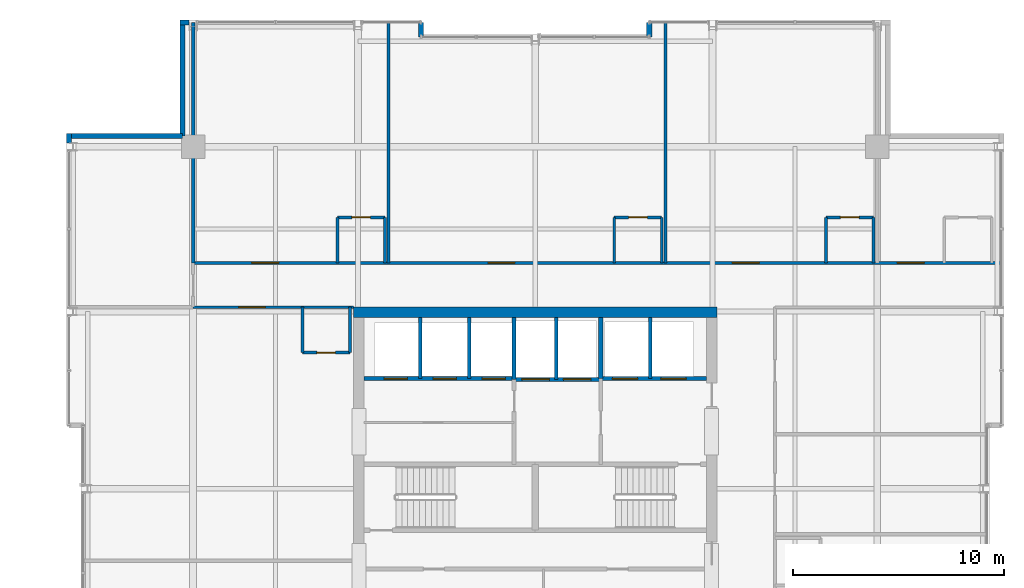
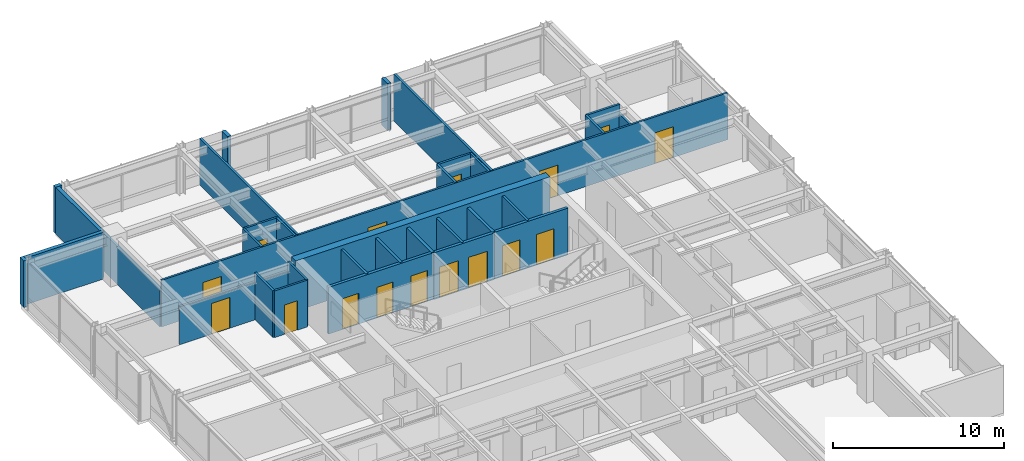
# One storey, part 28 of 32: 33 walls, 16 doors, 16 openings.
"""IFC4 building model written with IfcOpenShell, lengths in metres."""

import ifcopenshell
import ifcopenshell.guid

model = None  # the IFC model being written
_history = None  # IfcOwnerHistory: only IFC2X3 demands one
_inside = {}  # id of a spatial element -> (the spatial element, [elements in it])
_under = {}  # id of a project, library or spatial element -> (it, [spatial elements below it])
_declared = {}  # id of a project -> (the project, [libraries it declares])
_typed = {}  # id of a type object -> (the type object, [elements of that type])
_made_of = {}  # id of a material, layer set ... -> (it, [elements and type objects made of it])


def new_model(schema):
    """Start an empty IFC model of exactly this schema.

    Asked for "IFC4X3", IfcOpenShell would pick the latest addendum, in which some entities
    have other attributes; the version numbers below select the first issue.
    IFC2X3 requires an IfcOwnerHistory on every rooted entity: one is made here for all.
    """
    global model, _history
    if schema == "IFC4X3":
        model = ifcopenshell.file(schema_version=(4, 3, 0, 0))
    else:
        model = ifcopenshell.file(schema=schema)
    _inside.clear()
    _under.clear()
    _declared.clear()
    _typed.clear()
    _made_of.clear()
    _history = None
    if model.schema == "IFC2X3":
        org = make("IfcOrganization", Name="unknown")
        user = make(
            "IfcPersonAndOrganization",
            ThePerson=make("IfcPerson", FamilyName="unknown"),
            TheOrganization=org,
        )
        app = make(
            "IfcApplication",
            ApplicationDeveloper=org,
            Version="unknown",
            ApplicationFullName="unknown",
            ApplicationIdentifier="unknown",
        )
        _history = make(
            "IfcOwnerHistory",
            OwningUser=user,
            OwningApplication=app,
            ChangeAction="ADDED",
            CreationDate=0,
        )
    return model


def make(cls, **values):
    """One entity of the class cls with the attributes given. An attribute that is None is left unset."""
    return model.create_entity(
        cls, **{name: value for name, value in values.items() if value is not None}
    )


def rooted(cls, **values):
    """An entity with a GlobalId (a new one), such as an element, a storey or a relation."""
    return make(cls, GlobalId=ifcopenshell.guid.new(), OwnerHistory=_history, **values)


def si_unit(unit_type, name, prefix=None):
    """IfcSIUnit, for example si_unit("LENGTHUNIT", "METRE", prefix="MILLI")."""
    return make("IfcSIUnit", UnitType=unit_type, Prefix=prefix, Name=name)


def assignment(units):
    """IfcUnitAssignment: the units of a project."""
    return None if units is None else make("IfcUnitAssignment", Units=units)


def point(xyz):
    """IfcCartesianPoint."""
    return None if xyz is None else make("IfcCartesianPoint", Coordinates=xyz)


def direction(xyz):
    """IfcDirection."""
    return None if xyz is None else make("IfcDirection", DirectionRatios=xyz)


def frame(location, z_axis=None, x_axis=None):
    """IfcAxis2Placement3D, a coordinate frame: its origin and axes. An axis left out is left unset."""
    return make(
        "IfcAxis2Placement3D",
        Location=point(location),
        Axis=direction(z_axis),
        RefDirection=direction(x_axis),
    )


def frame_2d(location, x_axis=None):
    """IfcAxis2Placement2D, a coordinate frame in the plane: its origin and x axis."""
    return make(
        "IfcAxis2Placement2D", Location=point(location), RefDirection=direction(x_axis)
    )


def origin():
    """The frame at (0, 0, 0) with its axes left unset."""
    return frame((0.0, 0.0, 0.0))


def place(relative_to, where):
    """IfcLocalPlacement: puts the frame where relative to a parent placement (None: the world)."""
    return make(
        "IfcLocalPlacement", PlacementRelTo=relative_to, RelativePlacement=where
    )


def context(
    kind, dimensions, precision=None, world=None, true_north=None, identifier=None
):
    """IfcGeometricRepresentationContext, for example the 3D "Model" context."""
    return make(
        "IfcGeometricRepresentationContext",
        ContextIdentifier=identifier,
        ContextType=kind,
        CoordinateSpaceDimension=dimensions,
        Precision=precision,
        WorldCoordinateSystem=world,
        TrueNorth=true_north,
    )


def subcontext(parent, identifier, kind, view, scale=None):
    """IfcGeometricRepresentationSubContext, for example "Body" below "Model"."""
    return make(
        "IfcGeometricRepresentationSubContext",
        ContextIdentifier=identifier,
        ContextType=kind,
        ParentContext=parent,
        TargetScale=scale,
        TargetView=view,
    )


def project(units=None, contexts=None):
    """IfcProject with its units and contexts."""
    return rooted(
        "IfcProject",
        Name="project",
        RepresentationContexts=contexts,
        UnitsInContext=assignment(units),
    )


def spatial(cls, under=None, at=None, **own):
    """A site, building, storey or space (cls), placed at a placement, below another one or the project."""
    s = rooted(cls, ObjectPlacement=at, **own)
    if under is not None:
        _under.setdefault(under.id(), (under, []))[1].append(s)
    return s


def profile(cls, at=None, kind="AREA", **sizes):
    """A parametric profile (cls). Its sizes go by their IFC names, for example OverallWidth=200.0."""
    return make(cls, ProfileType=kind, Position=at, **sizes)


def rectangle(**sizes):
    """IfcRectangleProfileDef."""
    return profile("IfcRectangleProfileDef", **sizes)


def extrude(swept, where, along, depth):
    """IfcExtrudedAreaSolid: the profile swept, set in the frame where, extruded along a direction by depth."""
    return make(
        "IfcExtrudedAreaSolid",
        SweptArea=swept,
        Position=where,
        ExtrudedDirection=direction(along),
        Depth=depth,
    )


def shape(context_of_items, identifier, shape_type, items):
    """IfcShapeRepresentation: the items that make up one representation, for example the "Body"."""
    return make(
        "IfcShapeRepresentation",
        ContextOfItems=context_of_items,
        RepresentationIdentifier=identifier,
        RepresentationType=shape_type,
        Items=items,
    )


def material(Name=None, Category=None):
    """IfcMaterial."""
    return make("IfcMaterial", Name=Name, Category=Category)


def layer(
    of_material, thickness, ventilated=None, Name=None, Category=None, Priority=None
):
    """IfcMaterialLayer: one layer of a wall or slab, of a material (None: an air gap)."""
    return make(
        "IfcMaterialLayer",
        Material=of_material,
        LayerThickness=thickness,
        IsVentilated=ventilated,
        Name=Name,
        Category=Category,
        Priority=Priority,
    )


def layer_set(layers, Name=None):
    """IfcMaterialLayerSet."""
    return make("IfcMaterialLayerSet", MaterialLayers=layers, LayerSetName=Name)


def made_of(thing, what):
    """Note that an element or type object is made of a material, layer set ...; save() writes the relation."""
    if what is not None:
        _made_of.setdefault(what.id(), (what, []))[1].append(thing)
    return thing


def type_object(cls, material=None, **own):
    """A type object (cls), such as IfcWallType, which elements share."""
    return made_of(rooted(cls, **own), material)


def element(
    cls,
    number,
    at=None,
    inside=None,
    cuts=None,
    type_object=None,
    material=None,
    context=None,
    identifier="Body",
    shape_type=None,
    held_by="IfcProductDefinitionShape",
    body=None,
    shapes=None,
    **own,
):
    """One element of the class cls, such as IfcWall. Its Tag is "e" and its number.

    at: its placement. inside: the storey or other place that contains it. cuts: it is an
    opening in that element (IfcRelVoidsElement). A single representation is given by context,
    identifier, shape_type and body (its items); several are given by shapes. held_by: the class
    of the entity that holds the representations. save() writes the other relations.
    """
    e = rooted(cls, Tag="e%d" % number, ObjectPlacement=at, **own)
    if body is not None:
        shapes = [shape(context, identifier, shape_type, body)]
    if shapes is not None:
        e.Representation = make(held_by, Representations=shapes)
    if inside is not None:
        _inside.setdefault(inside.id(), (inside, []))[1].append(e)
    if cuts is not None:
        rooted(
            "IfcRelVoidsElement", RelatingBuildingElement=cuts, RelatedOpeningElement=e
        )
    if type_object is not None:
        _typed.setdefault(type_object.id(), (type_object, []))[1].append(e)
    return made_of(e, material)


def fill(opening, filler):
    """IfcRelFillsElement: the door or window that sits in an opening."""
    return rooted(
        "IfcRelFillsElement",
        RelatingOpeningElement=opening,
        RelatedBuildingElement=filler,
    )


def aggregate(whole, parts):
    """IfcRelAggregates: a whole, such as a stair, and the parts it consists of."""
    return rooted("IfcRelAggregates", RelatingObject=whole, RelatedObjects=parts)


def save(model, path):
    """Write the relations noted so far, then the file.

    IfcRelAggregates (storeys below a building ...), IfcRelContainedInSpatialStructure (elements
    in a storey), IfcRelDefinesByType, IfcRelAssociatesMaterial and IfcRelDeclares: one each for
    every whole, place, type object, material and project.
    """
    for whole, parts in _under.values():
        aggregate(whole, parts)
    for where, things in _inside.values():
        rooted(
            "IfcRelContainedInSpatialStructure",
            RelatedElements=things,
            RelatingStructure=where,
        )
    for kind, things in _typed.values():
        rooted("IfcRelDefinesByType", RelatedObjects=things, RelatingType=kind)
    for what, things in _made_of.values():
        rooted("IfcRelAssociatesMaterial", RelatedObjects=things, RelatingMaterial=what)
    for by, libraries in _declared.values():
        rooted("IfcRelDeclares", RelatingContext=by, RelatedDefinitions=libraries)
    model.write(path)


model = new_model("IFC4")

# Units and contexts
model_context = context("Model", 3, precision=1e-05, world=origin(), true_north=direction((0.0, 1.0)))
body_context = subcontext(model_context, "Body", "Model", "MODEL_VIEW")
ifc_project = project(units=[si_unit("LENGTHUNIT", "METRE"), si_unit("AREAUNIT", "SQUARE_METRE"), si_unit("VOLUMEUNIT", "CUBIC_METRE"), si_unit("PLANEANGLEUNIT", "RADIAN"), si_unit("MASSUNIT", "GRAM", prefix="KILO")], contexts=[model_context])

# Site, building, storey
site_placement = place(None, origin())
site = spatial("IfcSite", under=ifc_project, at=site_placement, CompositionType="ELEMENT")
building_placement = place(site_placement, origin())
building = spatial("IfcBuilding", under=site, at=building_placement, Name="Drelvath Grand Hotel", CompositionType="ELEMENT")
storey_placement = place(building_placement, frame((0.0, 0.0, 233.89990234375)))
storey = spatial("IfcBuildingStorey", under=building, at=storey_placement, Name="L61", CompositionType="ELEMENT", Elevation=233.89990234375)

# Wall, openings, doors
ifc_material_1 = material(Name="Concrete C40/50", Category="concrete")
ifc_layer_1 = layer(ifc_material_1, 0.199951171875)
ifc_layer_set_1 = layer_set([ifc_layer_1], Name="Concrete C40/50")
wall_type_1 = type_object("IfcWallType", Name="Core Hoistway Fire Wall 200", PredefinedType="SOLIDWALL", material=ifc_layer_set_1)
wall_1_placement = place(storey_placement, frame((3.10009765625, 32.219970703125, 0.0), z_axis=(0.0, 0.0, 1.0), x_axis=(1.0, 0.0, 0.0)))
wall_1 = element("IfcWall", 1, at=wall_1_placement, inside=storey, type_object=wall_type_1, Name="L61 FSAE Hoistway Front Wall", PredefinedType="SOLIDWALL", context=body_context, shape_type="SweptSolid", body=[
    extrude(rectangle(XDim=5.0, YDim=0.199951171875, at=frame_2d((2.5, 0.0))), origin(), (0.0, 0.0, 1.0), 3.340087890625),
])
opening_1_placement = place(wall_1_placement, frame((0.550048828125, 0.0, 0.0)))
opening_1 = element("IfcOpeningElement", 2, at=opening_1_placement, cuts=wall_1, Name="Opening LD-FSAE-1", PredefinedType="OPENING", context=body_context, shape_type="SweptSolid", body=[
    extrude(rectangle(XDim=1.199951171875, YDim=2.199951171875, at=frame_2d((0.60009765625, 1.10009765625))), frame((0.0, 0.10986328125, 0.0), z_axis=(0.0, -1.0, 0.0), x_axis=(1.0, 0.0, 0.0)), (0.0, 0.0, 1.0), 0.219970703125),
])
opening_2_placement = place(wall_1_placement, frame((2.85009765625, 0.0, 0.0)))
opening_2 = element("IfcOpeningElement", 3, at=opening_2_placement, cuts=wall_1, Name="Opening LD-FSAE-2", PredefinedType="OPENING", context=body_context, shape_type="SweptSolid", body=[
    extrude(rectangle(XDim=1.199951171875, YDim=2.199951171875, at=frame_2d((0.60009765625, 1.10009765625))), frame((0.0, 0.10986328125, 0.0), z_axis=(0.0, -1.0, 0.0), x_axis=(1.0, 0.0, 0.0)), (0.0, 0.0, 1.0), 0.219970703125),
])
ifc_material_2 = material(Name="Stainless Steel S355", Category="steel")
door_type_1 = type_object("IfcDoorType", Name="FSAE Lift Sliding Landing Door 1200x2200", OperationType="NOTDEFINED", PredefinedType="DOOR", material=ifc_material_2)
door_1_placement = place(opening_1_placement, origin())
door_1 = element("IfcDoor", 4, at=door_1_placement, inside=storey, type_object=door_type_1, Name="L61 Lift FSAE-1 Landing Door", OperationType="SLIDING_TO_LEFT", OverallHeight=2.199951171875, OverallWidth=1.199951171875, PredefinedType="DOOR", context=body_context, shape_type="SweptSolid", body=[
    extrude(rectangle(XDim=1.199951171875, YDim=2.199951171875, at=frame_2d((0.60009765625, 1.10009765625))), frame((0.0, 0.02490234375, 0.0), z_axis=(0.0, -1.0, 0.0), x_axis=(1.0, 0.0, 0.0)), (0.0, 0.0, 1.0), 0.050048828125),
])
fill(opening_1, door_1)
door_2_placement = place(opening_2_placement, origin())
door_2 = element("IfcDoor", 5, at=door_2_placement, inside=storey, type_object=door_type_1, Name="L61 Lift FSAE-2 Landing Door", OperationType="SLIDING_TO_LEFT", OverallHeight=2.199951171875, OverallWidth=1.199951171875, PredefinedType="DOOR", context=body_context, shape_type="SweptSolid", body=[
    extrude(rectangle(XDim=1.199951171875, YDim=2.199951171875, at=frame_2d((0.60009765625, 1.10009765625))), frame((0.0, 0.02490234375, 0.0), z_axis=(0.0, -1.0, 0.0), x_axis=(1.0, 0.0, 0.0)), (0.0, 0.0, 1.0), 0.050048828125),
])
fill(opening_2, door_2)

# Wall
wall_2_placement = place(storey_placement, frame((3.10009765625, 32.219970703125, 0.0), z_axis=(0.0, 0.0, 1.0), x_axis=(0.0, 1.0, 0.0)))
element("IfcWall", 6, at=wall_2_placement, inside=storey, type_object=wall_type_1, Name="L61 FSAE Hoistway West Wall", PredefinedType="SOLIDWALL", context=body_context, shape_type="SweptSolid", body=[
    extrude(rectangle(XDim=2.880126953125, YDim=0.199951171875, at=frame_2d((1.43994140625, 0.0))), origin(), (0.0, 0.0, 1.0), 3.340087890625),
])

# Wall, openings, doors
wall_3_placement = place(storey_placement, frame((-1.0, 32.179931640625, 0.0), z_axis=(0.0, 0.0, 1.0), x_axis=(1.0, 0.0, 0.0)))
wall_3 = element("IfcWall", 7, at=wall_3_placement, inside=storey, type_object=wall_type_1, Name="L61 Service Lift Hoistway Wall", PredefinedType="SOLIDWALL", context=body_context, shape_type="SweptSolid", body=[
    extrude(rectangle(XDim=4.10009765625, YDim=0.199951171875, at=frame_2d((2.050048828125, 0.0))), origin(), (0.0, 0.0, 1.0), 3.340087890625),
])
opening_3_placement = place(wall_3_placement, frame((0.3701171875, 0.0, 0.0)))
opening_3 = element("IfcOpeningElement", 8, at=opening_3_placement, cuts=wall_3, Name="Opening LD-SV-2", PredefinedType="OPENING", context=body_context, shape_type="SweptSolid", body=[
    extrude(rectangle(XDim=1.300048828125, YDim=2.199951171875, at=frame_2d((0.64990234375, 1.10009765625))), frame((0.0, 0.10986328125, 0.0), z_axis=(0.0, -1.0, 0.0), x_axis=(1.0, 0.0, 0.0)), (0.0, 0.0, 1.0), 0.219970703125),
])
opening_4_placement = place(wall_3_placement, frame((2.330078125, 0.0, 0.0)))
opening_4 = element("IfcOpeningElement", 9, at=opening_4_placement, cuts=wall_3, Name="Opening LD-SV-1", PredefinedType="OPENING", context=body_context, shape_type="SweptSolid", body=[
    extrude(rectangle(XDim=1.300048828125, YDim=2.199951171875, at=frame_2d((0.64990234375, 1.10009765625))), frame((0.0, 0.10986328125, 0.0), z_axis=(0.0, -1.0, 0.0), x_axis=(1.0, 0.0, 0.0)), (0.0, 0.0, 1.0), 0.219970703125),
])
door_type_2 = type_object("IfcDoorType", Name="Service Lift Sliding Landing Door 1300x2200", OperationType="NOTDEFINED", PredefinedType="DOOR", material=ifc_material_2)
door_3_placement = place(opening_3_placement, origin())
door_3 = element("IfcDoor", 10, at=door_3_placement, inside=storey, type_object=door_type_2, Name="L61 Lift SV-2 Landing Door", OperationType="SLIDING_TO_LEFT", OverallHeight=2.199951171875, OverallWidth=1.300048828125, PredefinedType="DOOR", context=body_context, shape_type="SweptSolid", body=[
    extrude(rectangle(XDim=1.300048828125, YDim=2.199951171875, at=frame_2d((0.64990234375, 1.10009765625))), frame((0.0, 0.02490234375, 0.0), z_axis=(0.0, -1.0, 0.0), x_axis=(1.0, 0.0, 0.0)), (0.0, 0.0, 1.0), 0.050048828125),
])
fill(opening_3, door_3)
door_4_placement = place(opening_4_placement, origin())
door_4 = element("IfcDoor", 11, at=door_4_placement, inside=storey, type_object=door_type_2, Name="L61 Lift SV-1 Landing Door", OperationType="SLIDING_TO_LEFT", OverallHeight=2.199951171875, OverallWidth=1.300048828125, PredefinedType="DOOR", context=body_context, shape_type="SweptSolid", body=[
    extrude(rectangle(XDim=1.300048828125, YDim=2.199951171875, at=frame_2d((0.64990234375, 1.10009765625))), frame((0.0, 0.02490234375, 0.0), z_axis=(0.0, -1.0, 0.0), x_axis=(1.0, 0.0, 0.0)), (0.0, 0.0, 1.0), 0.050048828125),
])
fill(opening_4, door_4)

# Wall
wall_4_placement = place(storey_placement, frame((-1.0, 32.179931640625, 0.0), z_axis=(0.0, 0.0, 1.0), x_axis=(0.0, 1.0, 0.0)))
element("IfcWall", 12, at=wall_4_placement, inside=storey, type_object=wall_type_1, Name="L61 Service Lift West Wall", PredefinedType="SOLIDWALL", context=body_context, shape_type="SweptSolid", body=[
    extrude(rectangle(XDim=2.920166015625, YDim=0.199951171875, at=frame_2d((1.4599609375, 0.0))), origin(), (0.0, 0.0, 1.0), 3.340087890625),
])

# Wall, openings, doors
wall_5_placement = place(storey_placement, frame((-8.10009765625, 32.219970703125, 0.0), z_axis=(0.0, 0.0, 1.0), x_axis=(1.0, 0.0, 0.0)))
wall_5 = element("IfcWall", 13, at=wall_5_placement, inside=storey, type_object=wall_type_1, Name="L61 Bank 3 Hoistway Wall", PredefinedType="SOLIDWALL", context=body_context, shape_type="SweptSolid", body=[
    extrude(rectangle(XDim=7.10009765625, YDim=0.199951171875, at=frame_2d((3.550048828125, 0.0))), origin(), (0.0, 0.0, 1.0), 3.340087890625),
])
opening_5_placement = place(wall_5_placement, frame((0.949951171875, 0.0, 0.0)))
opening_5 = element("IfcOpeningElement", 14, at=opening_5_placement, cuts=wall_5, Name="Opening LD-PE-7", PredefinedType="OPENING", context=body_context, shape_type="SweptSolid", body=[
    extrude(rectangle(XDim=1.10009765625, YDim=2.199951171875, at=frame_2d((0.550048828125, 1.10009765625))), frame((0.0, 0.10986328125, 0.0), z_axis=(0.0, -1.0, 0.0), x_axis=(1.0, 0.0, 0.0)), (0.0, 0.0, 1.0), 0.219970703125),
])
opening_6_placement = place(wall_5_placement, frame((3.27001953125, 0.0, 0.0)))
opening_6 = element("IfcOpeningElement", 15, at=opening_6_placement, cuts=wall_5, Name="Opening LD-PE-8", PredefinedType="OPENING", context=body_context, shape_type="SweptSolid", body=[
    extrude(rectangle(XDim=1.10009765625, YDim=2.199951171875, at=frame_2d((0.550048828125, 1.10009765625))), frame((0.0, 0.10986328125, 0.0), z_axis=(0.0, -1.0, 0.0), x_axis=(1.0, 0.0, 0.0)), (0.0, 0.0, 1.0), 0.219970703125),
])
opening_7_placement = place(wall_5_placement, frame((5.590087890625, 0.0, 0.0)))
opening_7 = element("IfcOpeningElement", 16, at=opening_7_placement, cuts=wall_5, Name="Opening LD-PE-9", PredefinedType="OPENING", context=body_context, shape_type="SweptSolid", body=[
    extrude(rectangle(XDim=1.10009765625, YDim=2.199951171875, at=frame_2d((0.550048828125, 1.10009765625))), frame((0.0, 0.10986328125, 0.0), z_axis=(0.0, -1.0, 0.0), x_axis=(1.0, 0.0, 0.0)), (0.0, 0.0, 1.0), 0.219970703125),
])
door_type_3 = type_object("IfcDoorType", Name="Passenger Lift Sliding Landing Door 1100x2200", OperationType="NOTDEFINED", PredefinedType="DOOR", material=ifc_material_2)
door_5_placement = place(opening_5_placement, origin())
door_5 = element("IfcDoor", 17, at=door_5_placement, inside=storey, type_object=door_type_3, Name="L61 Lift PE-7 Landing Door", OperationType="SLIDING_TO_LEFT", OverallHeight=2.199951171875, OverallWidth=1.10009765625, PredefinedType="DOOR", context=body_context, shape_type="SweptSolid", body=[
    extrude(rectangle(XDim=1.10009765625, YDim=2.199951171875, at=frame_2d((0.550048828125, 1.10009765625))), frame((0.0, 0.02490234375, 0.0), z_axis=(0.0, -1.0, 0.0), x_axis=(1.0, 0.0, 0.0)), (0.0, 0.0, 1.0), 0.050048828125),
])
fill(opening_5, door_5)
door_6_placement = place(opening_6_placement, origin())
door_6 = element("IfcDoor", 18, at=door_6_placement, inside=storey, type_object=door_type_3, Name="L61 Lift PE-8 Landing Door", OperationType="SLIDING_TO_LEFT", OverallHeight=2.199951171875, OverallWidth=1.10009765625, PredefinedType="DOOR", context=body_context, shape_type="SweptSolid", body=[
    extrude(rectangle(XDim=1.10009765625, YDim=2.199951171875, at=frame_2d((0.550048828125, 1.10009765625))), frame((0.0, 0.02490234375, 0.0), z_axis=(0.0, -1.0, 0.0), x_axis=(1.0, 0.0, 0.0)), (0.0, 0.0, 1.0), 0.050048828125),
])
fill(opening_6, door_6)
door_7_placement = place(opening_7_placement, origin())
door_7 = element("IfcDoor", 19, at=door_7_placement, inside=storey, type_object=door_type_3, Name="L61 Lift PE-9 Landing Door", OperationType="SLIDING_TO_LEFT", OverallHeight=2.199951171875, OverallWidth=1.10009765625, PredefinedType="DOOR", context=body_context, shape_type="SweptSolid", body=[
    extrude(rectangle(XDim=1.10009765625, YDim=2.199951171875, at=frame_2d((0.550048828125, 1.10009765625))), frame((0.0, 0.02490234375, 0.0), z_axis=(0.0, -1.0, 0.0), x_axis=(1.0, 0.0, 0.0)), (0.0, 0.0, 1.0), 0.050048828125),
])
fill(opening_7, door_7)

# Walls
ifc_material_3 = material(Name="Gypsum Fireboard Partition")
ifc_layer_2 = layer(ifc_material_3, 0.1650390625)
ifc_layer_set_2 = layer_set([ifc_layer_2], Name="Gypsum Fireboard Partition")
wall_type_2 = type_object("IfcWallType", Name="Core Shaft Partition 165", PredefinedType="PARTITIONING", material=ifc_layer_set_2)
wall_6_placement = place(storey_placement, frame((5.449951171875, 32.219970703125, 0.0), z_axis=(0.0, 0.0, 1.0), x_axis=(0.0, 1.0, 0.0)))
element("IfcWall", 20, at=wall_6_placement, inside=storey, type_object=wall_type_2, Name="L61 FSAE Hoistway Divider", PredefinedType="PARTITIONING", context=body_context, shape_type="SweptSolid", body=[
    extrude(rectangle(XDim=2.880126953125, YDim=0.1650390625, at=frame_2d((1.43994140625, 0.0))), origin(), (0.0, 0.0, 1.0), 3.340087890625),
])
wall_7_placement = place(storey_placement, frame((1.0, 32.179931640625, 0.0), z_axis=(0.0, 0.0, 1.0), x_axis=(0.0, 1.0, 0.0)))
element("IfcWall", 21, at=wall_7_placement, inside=storey, type_object=wall_type_2, Name="L61 Service Lift Divider", PredefinedType="PARTITIONING", context=body_context, shape_type="SweptSolid", body=[
    extrude(rectangle(XDim=2.920166015625, YDim=0.1650390625, at=frame_2d((1.4599609375, 0.0))), origin(), (0.0, 0.0, 1.0), 3.340087890625),
])
for number, where, z_axis, x_axis, name in (
    (22, (-5.43994140625, 32.219970703125, 0.0), (0.0, 0.0, 1.0), (0.0, 1.0, 0.0), "L61 Lift PE-7/8 Divider"),
    (23, (-3.1201171875, 32.219970703125, 0.0), (0.0, 0.0, 1.0), (0.0, 1.0, 0.0), "L61 Lift PE-8/9 Divider"),
):
    element("IfcWall", number, at=place(storey_placement, frame(where, z_axis=z_axis, x_axis=x_axis)), inside=storey, type_object=wall_type_2, Name=name, PredefinedType="PARTITIONING", context=body_context, shape_type="SweptSolid", body=[
        extrude(rectangle(XDim=2.880126953125, YDim=0.1650390625, at=frame_2d((1.43994140625, 0.0))), origin(), (0.0, 0.0, 1.0), 3.340087890625),
    ])

# Wall, openings, doors
ifc_layer_3 = layer(ifc_material_3, 0.135009765625)
ifc_layer_set_3 = layer_set([ifc_layer_3], Name="Gypsum Fireboard Partition")
wall_type_3 = type_object("IfcWallType", Name="Corridor Fire Barrier Wall 135", PredefinedType="PARTITIONING", material=ifc_layer_set_3)
wall_8_placement = place(storey_placement, frame((-16.199951171875, 37.699951171875, 0.0), z_axis=(0.0, 0.0, 1.0), x_axis=(1.0, 0.0, 0.0)))
wall_8 = element("IfcWall", 24, at=wall_8_placement, inside=storey, type_object=wall_type_3, Name="L61 North Cross-Gallery Wall", PredefinedType="PARTITIONING", context=body_context, shape_type="SweptSolid", body=[
    extrude(rectangle(XDim=38.280029296875, YDim=0.135009765625, at=frame_2d((19.14013671875, 0.0))), origin(), (0.0, 0.0, 1.0), 3.340087890625),
])
opening_8_placement = place(wall_8_placement, frame((33.35498046875, 0.0, 0.0)))
opening_8 = element("IfcOpeningElement", 25, at=opening_8_placement, cuts=wall_8, Name="Opening D-T4G3-022", PredefinedType="OPENING", context=body_context, shape_type="SweptSolid", body=[
    extrude(rectangle(XDim=1.260009765625, YDim=2.199951171875, at=frame_2d((0.6298828125, 1.10009765625))), frame((0.0, 0.077392578125, 0.0), z_axis=(0.0, -1.0, 0.0), x_axis=(1.0, 0.0, 0.0)), (0.0, 0.0, 1.0), 0.155029296875),
])
opening_9_placement = place(wall_8_placement, frame((2.78369140625, 0.0, 0.0)))
opening_9 = element("IfcOpeningElement", 26, at=opening_9_placement, cuts=wall_8, Name="Opening D-T4G3-033", PredefinedType="OPENING", context=body_context, shape_type="SweptSolid", body=[
    extrude(rectangle(XDim=1.260009765625, YDim=2.199951171875, at=frame_2d((0.6298828125, 1.10009765625))), frame((0.0, 0.077392578125, 0.0), z_axis=(0.0, -1.0, 0.0), x_axis=(1.0, 0.0, 0.0)), (0.0, 0.0, 1.0), 0.155029296875),
])
opening_10_placement = place(wall_8_placement, frame((13.96923828125, 0.0, 0.0)))
opening_10 = element("IfcOpeningElement", 27, at=opening_10_placement, cuts=wall_8, Name="Opening D-T4G3-035", PredefinedType="OPENING", context=body_context, shape_type="SweptSolid", body=[
    extrude(rectangle(XDim=1.260009765625, YDim=2.199951171875, at=frame_2d((0.6298828125, 1.10009765625))), frame((0.0, 0.077392578125, 0.0), z_axis=(0.0, -1.0, 0.0), x_axis=(1.0, 0.0, 0.0)), (0.0, 0.0, 1.0), 0.155029296875),
])
opening_11_placement = place(wall_8_placement, frame((25.540771484375, 0.0, 0.0)))
opening_11 = element("IfcOpeningElement", 28, at=opening_11_placement, cuts=wall_8, Name="Opening D-T4G3-037", PredefinedType="OPENING", context=body_context, shape_type="SweptSolid", body=[
    extrude(rectangle(XDim=1.260009765625, YDim=2.199951171875, at=frame_2d((0.6298828125, 1.10009765625))), frame((0.0, 0.077392578125, 0.0), z_axis=(0.0, -1.0, 0.0), x_axis=(1.0, 0.0, 0.0)), (0.0, 0.0, 1.0), 0.155029296875),
])
ifc_material_4 = material(Name="Hardwood Walnut Timber", Category="wood")
door_type_4 = type_object("IfcDoorType", Name="Suite Entrance Fire Door 1260x2200", OperationType="NOTDEFINED", PredefinedType="DOOR", material=ifc_material_4)
door_8_placement = place(opening_8_placement, origin())
door_8 = element("IfcDoor", 29, at=door_8_placement, inside=storey, type_object=door_type_4, Name="L61 Diplomatic Suite Entry Door", OperationType="SINGLE_SWING_LEFT", OverallHeight=2.199951171875, OverallWidth=1.260009765625, PredefinedType="DOOR", context=body_context, shape_type="SweptSolid", body=[
    extrude(rectangle(XDim=1.260009765625, YDim=2.199951171875, at=frame_2d((0.6298828125, 1.10009765625))), frame((0.0, 0.02490234375, 0.0), z_axis=(0.0, -1.0, 0.0), x_axis=(1.0, 0.0, 0.0)), (0.0, 0.0, 1.0), 0.050048828125),
])
fill(opening_8, door_8)
door_9_placement = place(opening_9_placement, origin())
door_9 = element("IfcDoor", 30, at=door_9_placement, inside=storey, type_object=door_type_4, Name="L61 Diplomatic Suite Entry Door", OperationType="SINGLE_SWING_RIGHT", OverallHeight=2.199951171875, OverallWidth=1.260009765625, PredefinedType="DOOR", context=body_context, shape_type="SweptSolid", body=[
    extrude(rectangle(XDim=1.260009765625, YDim=2.199951171875, at=frame_2d((0.6298828125, 1.10009765625))), frame((0.0, 0.02490234375, 0.0), z_axis=(0.0, -1.0, 0.0), x_axis=(1.0, 0.0, 0.0)), (0.0, 0.0, 1.0), 0.050048828125),
])
fill(opening_9, door_9)
door_10_placement = place(opening_10_placement, origin())
door_10 = element("IfcDoor", 31, at=door_10_placement, inside=storey, type_object=door_type_4, Name="L61 Diplomatic Suite Entry Door", OperationType="SINGLE_SWING_RIGHT", OverallHeight=2.199951171875, OverallWidth=1.260009765625, PredefinedType="DOOR", context=body_context, shape_type="SweptSolid", body=[
    extrude(rectangle(XDim=1.260009765625, YDim=2.199951171875, at=frame_2d((0.6298828125, 1.10009765625))), frame((0.0, 0.02490234375, 0.0), z_axis=(0.0, -1.0, 0.0), x_axis=(1.0, 0.0, 0.0)), (0.0, 0.0, 1.0), 0.050048828125),
])
fill(opening_10, door_10)
door_11_placement = place(opening_11_placement, origin())
door_11 = element("IfcDoor", 32, at=door_11_placement, inside=storey, type_object=door_type_4, Name="L61 Diplomatic Suite Entry Door", OperationType="SINGLE_SWING_RIGHT", OverallHeight=2.199951171875, OverallWidth=1.260009765625, PredefinedType="DOOR", context=body_context, shape_type="SweptSolid", body=[
    extrude(rectangle(XDim=1.260009765625, YDim=2.199951171875, at=frame_2d((0.6298828125, 1.10009765625))), frame((0.0, 0.02490234375, 0.0), z_axis=(0.0, -1.0, 0.0), x_axis=(1.0, 0.0, 0.0)), (0.0, 0.0, 1.0), 0.050048828125),
])
fill(opening_11, door_11)

# Wall, opening, door
wall_9_placement = place(storey_placement, frame((-16.199951171875, 35.60009765625, 0.0), z_axis=(0.0, 0.0, 1.0), x_axis=(1.0, 0.0, 0.0)))
wall_9 = element("IfcWall", 33, at=wall_9_placement, inside=storey, type_object=wall_type_3, Name="L61 North Gallery Inner West Wall", PredefinedType="PARTITIONING", context=body_context, shape_type="SweptSolid", body=[
    extrude(rectangle(XDim=7.599853515625, YDim=0.135009765625, at=frame_2d((3.7998046875, 0.0))), origin(), (0.0, 0.0, 1.0), 2.717529296875),
])
opening_12_placement = place(wall_9_placement, frame((2.155029296875, 0.0, 0.0)))
opening_12 = element("IfcOpeningElement", 34, at=opening_12_placement, cuts=wall_9, Name="Opening D-T4G3-045", PredefinedType="OPENING", context=body_context, shape_type="SweptSolid", body=[
    extrude(rectangle(XDim=1.260009765625, YDim=2.199951171875, at=frame_2d((0.6298828125, 1.10009765625))), frame((0.0, 0.077392578125, 0.0), z_axis=(0.0, -1.0, 0.0), x_axis=(1.0, 0.0, 0.0)), (0.0, 0.0, 1.0), 0.155029296875),
])
door_12_placement = place(opening_12_placement, origin())
door_12 = element("IfcDoor", 35, at=door_12_placement, inside=storey, type_object=door_type_4, Name="L61 Diplomatic Suite Entry Door", OperationType="SINGLE_SWING_RIGHT", OverallHeight=2.199951171875, OverallWidth=1.260009765625, PredefinedType="DOOR", context=body_context, shape_type="SweptSolid", body=[
    extrude(rectangle(XDim=1.260009765625, YDim=2.199951171875, at=frame_2d((0.6298828125, 1.10009765625))), frame((0.0, 0.02490234375, 0.0), z_axis=(0.0, -1.0, 0.0), x_axis=(1.0, 0.0, 0.0)), (0.0, 0.0, 1.0), 0.050048828125),
])
fill(opening_12, door_12)

# Walls
ifc_material_5 = material(Name="Moisture-Resistant Gypsum Board")
ifc_layer_4 = layer(ifc_material_5, 0.139892578125)
ifc_layer_set_4 = layer_set([ifc_layer_4], Name="Moisture-Resistant Gypsum Board")
wall_type_4 = type_object("IfcWallType", Name="En-Suite Plumbing Wall 140", PredefinedType="PLUMBINGWALL", material=ifc_layer_set_4)
for number, where, z_axis, x_axis, name in (
    (36, (-9.372802734375, 37.699951171875, 0.0), (0.0, 0.0, 1.0), (0.0, 1.0, 0.0), "L61 En-Suite Left Wall"),
    (37, (-7.122802734375, 37.699951171875, 0.0), (0.0, 0.0, 1.0), (0.0, 1.0, 0.0), "L61 En-Suite Right Wall"),
):
    element("IfcWall", number, at=place(storey_placement, frame(where, z_axis=z_axis, x_axis=x_axis)), inside=storey, type_object=wall_type_4, Name=name, PredefinedType="PLUMBINGWALL", context=body_context, shape_type="SweptSolid", body=[
        extrude(rectangle(XDim=2.150146484375, YDim=0.139892578125, at=frame_2d((1.0751953125, 0.0))), origin(), (0.0, 0.0, 1.0), 3.340087890625),
    ])

# Wall, opening, door
wall_10_placement = place(storey_placement, frame((-9.372802734375, 39.85009765625, 0.0), z_axis=(0.0, 0.0, 1.0), x_axis=(1.0, 0.0, 0.0)))
wall_10 = element("IfcWall", 38, at=wall_10_placement, inside=storey, type_object=wall_type_4, Name="L61 En-Suite Front Wall", PredefinedType="PLUMBINGWALL", context=body_context, shape_type="SweptSolid", body=[
    extrude(rectangle(XDim=2.25, YDim=0.139892578125, at=frame_2d((1.125, 0.0))), origin(), (0.0, 0.0, 1.0), 3.340087890625),
])
opening_13_placement = place(wall_10_placement, frame((0.68505859375, 0.0, 0.0)))
opening_13 = element("IfcOpeningElement", 39, at=opening_13_placement, cuts=wall_10, Name="Opening D-T4G3-032", PredefinedType="OPENING", context=body_context, shape_type="SweptSolid", body=[
    extrude(rectangle(XDim=0.8798828125, YDim=2.10009765625, at=frame_2d((0.43994140625, 1.050048828125))), frame((0.0, 0.079833984375, 0.0), z_axis=(0.0, -1.0, 0.0), x_axis=(1.0, 0.0, 0.0)), (0.0, 0.0, 1.0), 0.159912109375),
])
door_type_5 = type_object("IfcDoorType", Name="En-Suite Bathroom Door 880x2100", OperationType="NOTDEFINED", PredefinedType="DOOR", material=ifc_material_4)
door_13_placement = place(opening_13_placement, origin())
door_13 = element("IfcDoor", 40, at=door_13_placement, inside=storey, type_object=door_type_5, Name="L61 En-Suite Bathroom Door", OperationType="SINGLE_SWING_LEFT", OverallHeight=2.10009765625, OverallWidth=0.8798828125, PredefinedType="DOOR", context=body_context, shape_type="SweptSolid", body=[
    extrude(rectangle(XDim=0.8798828125, YDim=2.10009765625, at=frame_2d((0.43994140625, 1.050048828125))), frame((0.0, 0.02490234375, 0.0), z_axis=(0.0, -1.0, 0.0), x_axis=(1.0, 0.0, 0.0)), (0.0, 0.0, 1.0), 0.050048828125),
])
fill(opening_13, door_13)

# Walls
for number, where, z_axis, x_axis, name in (
    (41, (3.741455078125, 37.699951171875, 0.0), (0.0, 0.0, 1.0), (0.0, 1.0, 0.0), "L61 En-Suite Left Wall"),
    (42, (5.991455078125, 37.699951171875, 0.0), (0.0, 0.0, 1.0), (0.0, 1.0, 0.0), "L61 En-Suite Right Wall"),
):
    element("IfcWall", number, at=place(storey_placement, frame(where, z_axis=z_axis, x_axis=x_axis)), inside=storey, type_object=wall_type_4, Name=name, PredefinedType="PLUMBINGWALL", context=body_context, shape_type="SweptSolid", body=[
        extrude(rectangle(XDim=2.150146484375, YDim=0.139892578125, at=frame_2d((1.0751953125, 0.0))), origin(), (0.0, 0.0, 1.0), 3.340087890625),
    ])

# Wall, opening, door
wall_11_placement = place(storey_placement, frame((3.741455078125, 39.85009765625, 0.0), z_axis=(0.0, 0.0, 1.0), x_axis=(1.0, 0.0, 0.0)))
wall_11 = element("IfcWall", 43, at=wall_11_placement, inside=storey, type_object=wall_type_4, Name="L61 En-Suite Front Wall", PredefinedType="PLUMBINGWALL", context=body_context, shape_type="SweptSolid", body=[
    extrude(rectangle(XDim=2.25, YDim=0.139892578125, at=frame_2d((1.125, 0.0))), origin(), (0.0, 0.0, 1.0), 3.340087890625),
])
opening_14_placement = place(wall_11_placement, frame((0.68505859375, 0.0, 0.0)))
opening_14 = element("IfcOpeningElement", 44, at=opening_14_placement, cuts=wall_11, Name="Opening D-T4G3-034", PredefinedType="OPENING", context=body_context, shape_type="SweptSolid", body=[
    extrude(rectangle(XDim=0.8798828125, YDim=2.10009765625, at=frame_2d((0.43994140625, 1.050048828125))), frame((0.0, 0.079833984375, 0.0), z_axis=(0.0, -1.0, 0.0), x_axis=(1.0, 0.0, 0.0)), (0.0, 0.0, 1.0), 0.159912109375),
])
door_14_placement = place(opening_14_placement, origin())
door_14 = element("IfcDoor", 45, at=door_14_placement, inside=storey, type_object=door_type_5, Name="L61 En-Suite Bathroom Door", OperationType="SINGLE_SWING_LEFT", OverallHeight=2.10009765625, OverallWidth=0.8798828125, PredefinedType="DOOR", context=body_context, shape_type="SweptSolid", body=[
    extrude(rectangle(XDim=0.8798828125, YDim=2.10009765625, at=frame_2d((0.43994140625, 1.050048828125))), frame((0.0, 0.02490234375, 0.0), z_axis=(0.0, -1.0, 0.0), x_axis=(1.0, 0.0, 0.0)), (0.0, 0.0, 1.0), 0.050048828125),
])
fill(opening_14, door_14)

# Walls
wall_12_placement = place(storey_placement, frame((13.77001953125, 37.699951171875, 0.0), z_axis=(0.0, 0.0, 1.0), x_axis=(0.0, 1.0, 0.0)))
element("IfcWall", 46, at=wall_12_placement, inside=storey, type_object=wall_type_4, Name="L61 En-Suite Left Wall", PredefinedType="PLUMBINGWALL", context=body_context, shape_type="SweptSolid", body=[
    extrude(rectangle(XDim=2.150146484375, YDim=0.139892578125, at=frame_2d((1.0751953125, 0.0))), origin(), (0.0, 0.0, 1.0), 3.340087890625),
])
wall_13_placement = place(storey_placement, frame((16.02001953125, 37.699951171875, 0.0), z_axis=(0.0, 0.0, 1.0), x_axis=(0.0, 1.0, 0.0)))
element("IfcWall", 47, at=wall_13_placement, inside=storey, type_object=wall_type_4, Name="L61 En-Suite Right Wall", PredefinedType="PLUMBINGWALL", context=body_context, shape_type="SweptSolid", body=[
    extrude(rectangle(XDim=2.150146484375, YDim=0.139892578125, at=frame_2d((1.0751953125, 0.0))), origin(), (0.0, 0.0, 1.0), 2.7138671875),
])

# Wall, opening, door
wall_14_placement = place(storey_placement, frame((13.77001953125, 39.85009765625, 0.0), z_axis=(0.0, 0.0, 1.0), x_axis=(1.0, 0.0, 0.0)))
wall_14 = element("IfcWall", 48, at=wall_14_placement, inside=storey, type_object=wall_type_4, Name="L61 En-Suite Front Wall", PredefinedType="PLUMBINGWALL", context=body_context, shape_type="SweptSolid", body=[
    extrude(rectangle(XDim=2.25, YDim=0.139892578125, at=frame_2d((1.125, 0.0))), origin(), (0.0, 0.0, 1.0), 3.340087890625),
])
opening_15_placement = place(wall_14_placement, frame((0.68505859375, 0.0, 0.0)))
opening_15 = element("IfcOpeningElement", 49, at=opening_15_placement, cuts=wall_14, Name="Opening D-T4G3-036", PredefinedType="OPENING", context=body_context, shape_type="SweptSolid", body=[
    extrude(rectangle(XDim=0.8798828125, YDim=2.10009765625, at=frame_2d((0.43994140625, 1.050048828125))), frame((0.0, 0.079833984375, 0.0), z_axis=(0.0, -1.0, 0.0), x_axis=(1.0, 0.0, 0.0)), (0.0, 0.0, 1.0), 0.159912109375),
])
door_15_placement = place(opening_15_placement, origin())
door_15 = element("IfcDoor", 50, at=door_15_placement, inside=storey, type_object=door_type_5, Name="L61 En-Suite Bathroom Door", OperationType="SINGLE_SWING_LEFT", OverallHeight=2.10009765625, OverallWidth=0.8798828125, PredefinedType="DOOR", context=body_context, shape_type="SweptSolid", body=[
    extrude(rectangle(XDim=0.8798828125, YDim=2.10009765625, at=frame_2d((0.43994140625, 1.050048828125))), frame((0.0, 0.02490234375, 0.0), z_axis=(0.0, -1.0, 0.0), x_axis=(1.0, 0.0, 0.0)), (0.0, 0.0, 1.0), 0.050048828125),
])
fill(opening_15, door_15)

# Walls
for number, where, z_axis, x_axis, name in (
    (51, (-11.030029296875, 35.60009765625, 0.0), (0.0, 0.0, 1.0), (0.0, -1.0, 0.0), "L61 En-Suite Left Wall"),
    (52, (-8.780029296875, 35.60009765625, 0.0), (0.0, 0.0, 1.0), (0.0, -1.0, 0.0), "L61 En-Suite Right Wall"),
):
    element("IfcWall", number, at=place(storey_placement, frame(where, z_axis=z_axis, x_axis=x_axis)), inside=storey, type_object=wall_type_4, Name=name, PredefinedType="PLUMBINGWALL", context=body_context, shape_type="SweptSolid", body=[
        extrude(rectangle(XDim=2.150146484375, YDim=0.139892578125, at=frame_2d((1.0751953125, 0.0))), origin(), (0.0, 0.0, 1.0), 3.340087890625),
    ])

# Wall, opening, door
wall_15_placement = place(storey_placement, frame((-11.030029296875, 33.449951171875, 0.0), z_axis=(0.0, 0.0, 1.0), x_axis=(1.0, 0.0, 0.0)))
wall_15 = element("IfcWall", 53, at=wall_15_placement, inside=storey, type_object=wall_type_4, Name="L61 En-Suite Front Wall", PredefinedType="PLUMBINGWALL", context=body_context, shape_type="SweptSolid", body=[
    extrude(rectangle(XDim=2.25, YDim=0.139892578125, at=frame_2d((1.125, 0.0))), origin(), (0.0, 0.0, 1.0), 3.340087890625),
])
opening_16_placement = place(wall_15_placement, frame((0.68505859375, 0.0, 0.0)))
opening_16 = element("IfcOpeningElement", 54, at=opening_16_placement, cuts=wall_15, Name="Opening D-T4G3-044", PredefinedType="OPENING", context=body_context, shape_type="SweptSolid", body=[
    extrude(rectangle(XDim=0.8798828125, YDim=2.10009765625, at=frame_2d((0.43994140625, 1.050048828125))), frame((0.0, 0.079833984375, 0.0), z_axis=(0.0, -1.0, 0.0), x_axis=(1.0, 0.0, 0.0)), (0.0, 0.0, 1.0), 0.159912109375),
])
door_16_placement = place(opening_16_placement, origin())
door_16 = element("IfcDoor", 55, at=door_16_placement, inside=storey, type_object=door_type_5, Name="L61 En-Suite Bathroom Door", OperationType="SINGLE_SWING_LEFT", OverallHeight=2.10009765625, OverallWidth=0.8798828125, PredefinedType="DOOR", context=body_context, shape_type="SweptSolid", body=[
    extrude(rectangle(XDim=0.8798828125, YDim=2.10009765625, at=frame_2d((0.43994140625, 1.050048828125))), frame((0.0, 0.02490234375, 0.0), z_axis=(0.0, -1.0, 0.0), x_axis=(1.0, 0.0, 0.0)), (0.0, 0.0, 1.0), 0.050048828125),
])
fill(opening_16, door_16)

# Walls
ifc_material_6 = material(Name="Gypsum Acoustic Partition")
ifc_layer_5 = layer(ifc_material_6, 0.14990234375)
ifc_layer_set_5 = layer_set([ifc_layer_5], Name="Gypsum Acoustic Partition")
wall_type_5 = type_object("IfcWallType", Name="Guestroom Demising Wall 150", PredefinedType="PARTITIONING", material=ifc_layer_set_5)
for number, where, z_axis, x_axis, name in (
    (56, (-6.94287109375, 37.699951171875, 0.0), (0.0, 0.0, 1.0), (0.0, 1.0, 0.0), "L61 North Demising 1"),
    (57, (6.17138671875, 37.699951171875, 0.0), (0.0, 0.0, 1.0), (0.0, 1.0, 0.0), "L61 North Demising 2"),
):
    element("IfcWall", number, at=place(storey_placement, frame(where, z_axis=z_axis, x_axis=x_axis)), inside=storey, type_object=wall_type_5, Name=name, PredefinedType="PARTITIONING", context=body_context, shape_type="SweptSolid", body=[
        extrude(rectangle(XDim=11.380126953125, YDim=0.14990234375, at=frame_2d((5.68994140625, 0.0))), origin(), (0.0, 0.0, 1.0), 3.340087890625),
    ])
ifc_layer_6 = layer(ifc_material_6, 0.1650390625)
ifc_layer_set_6 = layer_set([ifc_layer_6], Name="Gypsum Acoustic Partition")
wall_type_6 = type_object("IfcWallType", Name="Suite Demising Wall 165", PredefinedType="PARTITIONING", material=ifc_layer_set_6)
wall_16_placement = place(storey_placement, frame((-16.199951171875, 37.699951171875, 0.0), z_axis=(0.0, 0.0, 1.0), x_axis=(0.0, 1.0, 0.0)))
element("IfcWall", 58, at=wall_16_placement, inside=storey, type_object=wall_type_6, Name="L61 NW Suite Wall", PredefinedType="PARTITIONING", context=body_context, shape_type="SweptSolid", body=[
    extrude(rectangle(XDim=11.380126953125, YDim=0.1650390625, at=frame_2d((5.68994140625, 0.0))), origin(), (0.0, 0.0, 1.0), 2.7138671875),
])
ifc_material_7 = material(Name="Pale-Metal Insulated Aluminium Spandrel Assembly", Category="aluminium")
ifc_layer_7 = layer(ifc_material_7, 0.239990234375)
ifc_layer_set_7 = layer_set([ifc_layer_7], Name="Pale-Metal Insulated Aluminium Spandrel Assembly")
wall_type_7 = type_object("IfcWallType", Name="Tower Insulated Metal Spandrel Closure Wall 240", PredefinedType="STANDARD", material=ifc_layer_set_7)
for number, where, z_axis, x_axis, name in (
    (59, (-22.080078125, 43.38525390625, 0.0), (0.0, 0.0, 1.0), (0.0, 1.0, 0.0), "L61 Corner Pier Spandrel Wall WN3"),
    (60, (-16.820068359375, 49.080078125, 0.0), (0.0, 0.0, 1.0), (1.0, 0.0, 0.0), "L61 Corner Pier Spandrel Wall NW1"),
):
    element("IfcWall", number, at=place(storey_placement, frame(where, z_axis=z_axis, x_axis=x_axis)), inside=storey, type_object=wall_type_7, Name=name, PredefinedType="STANDARD", context=body_context, shape_type="SweptSolid", body=[
        extrude(rectangle(XDim=0.434814453125, YDim=0.239990234375, at=frame_2d((0.21728515625, 0.0))), origin(), (0.0, 0.0, 1.0), 3.340087890625),
    ])
for number, where, z_axis, x_axis, name in (
    (61, (-21.9599609375, 43.699951171875, 0.0), (0.0, 0.0, 1.0), (1.0, 0.0, 0.0), "L61 Notched Corner Return Spandrel Wall CNW1"),
    (62, (-16.699951171875, 43.699951171875, 0.0), (0.0, 0.0, 1.0), (0.0, 1.0, 0.0), "L61 Notched Corner Return Spandrel Wall CNW2"),
):
    element("IfcWall", number, at=place(storey_placement, frame(where, z_axis=z_axis, x_axis=x_axis)), inside=storey, type_object=wall_type_7, Name=name, PredefinedType="STANDARD", context=body_context, shape_type="SweptSolid", body=[
        extrude(rectangle(XDim=5.260009765625, YDim=0.239990234375, at=frame_2d((2.6298828125, 0.0))), origin(), (0.0, 0.0, 1.0), 3.340087890625),
    ])
for number, where, z_axis, x_axis, name in (
    (63, (-5.39990234375, 49.080078125, 0.0), (0.0, 0.0, 1.0), (0.0, -1.0, 0.0), "L61 Notched Corner Return Spandrel Wall RN1"),
    (64, (5.39990234375, 48.39990234375, 0.0), (0.0, 0.0, 1.0), (0.0, 1.0, 0.0), "L61 Notched Corner Return Spandrel Wall RN2"),
):
    element("IfcWall", number, at=place(storey_placement, frame(where, z_axis=z_axis, x_axis=x_axis)), inside=storey, type_object=wall_type_7, Name=name, PredefinedType="STANDARD", context=body_context, shape_type="SweptSolid", body=[
        extrude(rectangle(XDim=0.68017578125, YDim=0.239990234375, at=frame_2d((0.340087890625, 0.0))), origin(), (0.0, 0.0, 1.0), 3.340087890625),
    ])
ifc_material_8 = material(Name="Concrete f'c 55 MPa", Category="concrete")
ifc_layer_8 = layer(ifc_material_8, 0.5)
ifc_layer_set_8 = layer_set([ifc_layer_8], Name="Concrete f'c 55 MPa")
wall_type_8 = type_object("IfcWallType", Name="Upper Core RC Shear Wall 500", PredefinedType="SHEAR", material=ifc_layer_set_8)
wall_17_placement = place(storey_placement, frame((-8.60009765625, 35.35009765625, 0.0), z_axis=(0.0, 0.0, 1.0), x_axis=(1.0, 0.0, 0.0)))
element("IfcWall", 65, at=wall_17_placement, inside=storey, type_object=wall_type_8, Name="L61 Central Core Shear Wall N", PredefinedType="SHEAR", context=body_context, shape_type="SweptSolid", body=[
    extrude(rectangle(XDim=17.2001953125, YDim=0.5, at=frame_2d((8.60009765625, 0.0))), origin(), (0.0, 0.0, 1.0), 3.60009765625),
])

save(model, "model.ifc")
